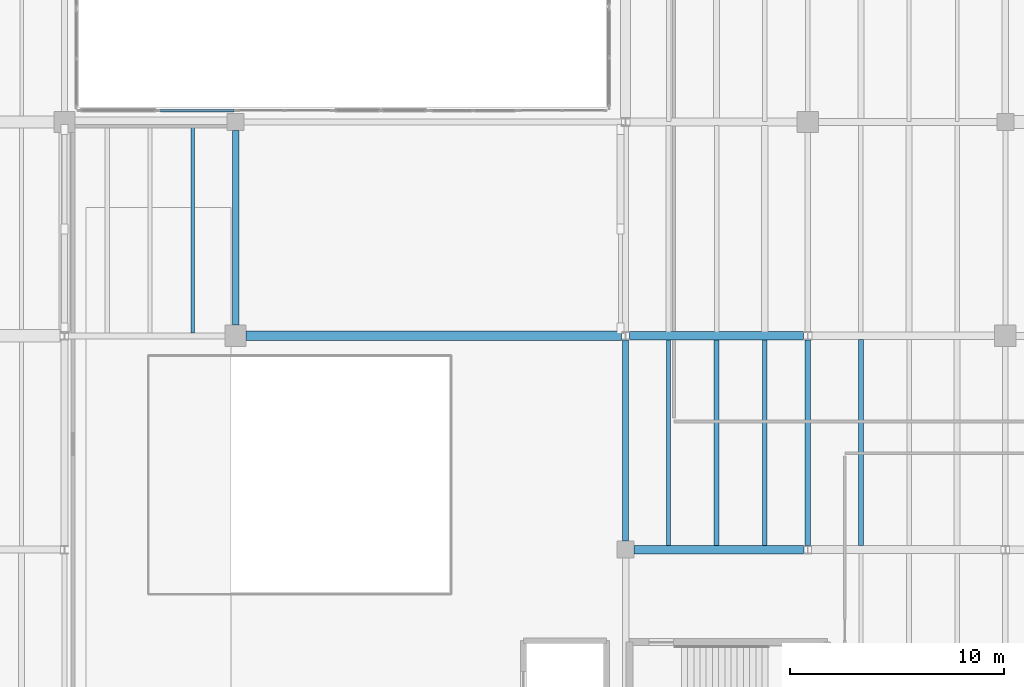
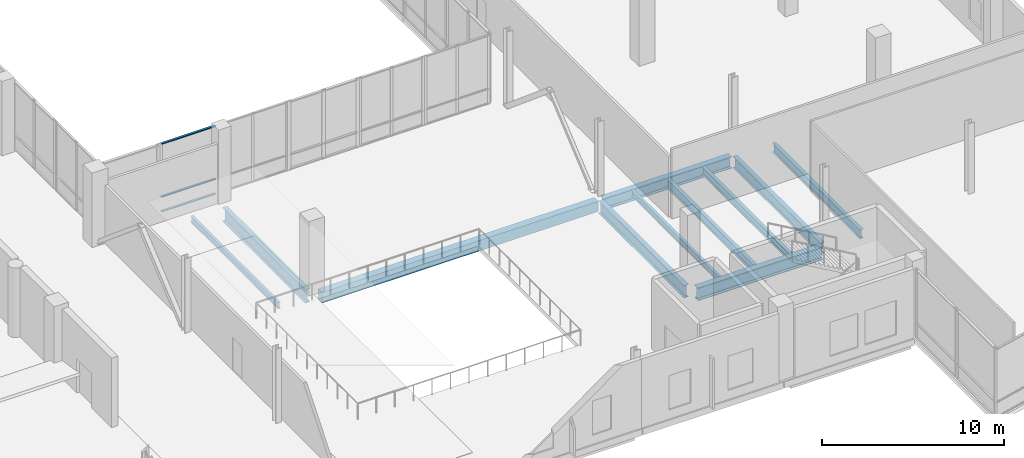
# One storey, part 43 of 81: 11 beams, 3 members, 1 element without a shape of its own.
"""IFC4 building model written with IfcOpenShell, lengths in metres."""

import ifcopenshell
import ifcopenshell.guid

model = None  # the IFC model being written
_history = None  # IfcOwnerHistory: only IFC2X3 demands one
_inside = {}  # id of a spatial element -> (the spatial element, [elements in it])
_under = {}  # id of a project, library or spatial element -> (it, [spatial elements below it])
_declared = {}  # id of a project -> (the project, [libraries it declares])
_typed = {}  # id of a type object -> (the type object, [elements of that type])
_made_of = {}  # id of a material, layer set ... -> (it, [elements and type objects made of it])


def new_model(schema):
    """Start an empty IFC model of exactly this schema.

    Asked for "IFC4X3", IfcOpenShell would pick the latest addendum, in which some entities
    have other attributes; the version numbers below select the first issue.
    IFC2X3 requires an IfcOwnerHistory on every rooted entity: one is made here for all.
    """
    global model, _history
    if schema == "IFC4X3":
        model = ifcopenshell.file(schema_version=(4, 3, 0, 0))
    else:
        model = ifcopenshell.file(schema=schema)
    _inside.clear()
    _under.clear()
    _declared.clear()
    _typed.clear()
    _made_of.clear()
    _history = None
    if model.schema == "IFC2X3":
        org = make("IfcOrganization", Name="unknown")
        user = make(
            "IfcPersonAndOrganization",
            ThePerson=make("IfcPerson", FamilyName="unknown"),
            TheOrganization=org,
        )
        app = make(
            "IfcApplication",
            ApplicationDeveloper=org,
            Version="unknown",
            ApplicationFullName="unknown",
            ApplicationIdentifier="unknown",
        )
        _history = make(
            "IfcOwnerHistory",
            OwningUser=user,
            OwningApplication=app,
            ChangeAction="ADDED",
            CreationDate=0,
        )
    return model


def make(cls, **values):
    """One entity of the class cls with the attributes given. An attribute that is None is left unset."""
    return model.create_entity(
        cls, **{name: value for name, value in values.items() if value is not None}
    )


def rooted(cls, **values):
    """An entity with a GlobalId (a new one), such as an element, a storey or a relation."""
    return make(cls, GlobalId=ifcopenshell.guid.new(), OwnerHistory=_history, **values)


def si_unit(unit_type, name, prefix=None):
    """IfcSIUnit, for example si_unit("LENGTHUNIT", "METRE", prefix="MILLI")."""
    return make("IfcSIUnit", UnitType=unit_type, Prefix=prefix, Name=name)


def assignment(units):
    """IfcUnitAssignment: the units of a project."""
    return None if units is None else make("IfcUnitAssignment", Units=units)


def point(xyz):
    """IfcCartesianPoint."""
    return None if xyz is None else make("IfcCartesianPoint", Coordinates=xyz)


def direction(xyz):
    """IfcDirection."""
    return None if xyz is None else make("IfcDirection", DirectionRatios=xyz)


def frame(location, z_axis=None, x_axis=None):
    """IfcAxis2Placement3D, a coordinate frame: its origin and axes. An axis left out is left unset."""
    return make(
        "IfcAxis2Placement3D",
        Location=point(location),
        Axis=direction(z_axis),
        RefDirection=direction(x_axis),
    )


def frame_2d(location, x_axis=None):
    """IfcAxis2Placement2D, a coordinate frame in the plane: its origin and x axis."""
    return make(
        "IfcAxis2Placement2D", Location=point(location), RefDirection=direction(x_axis)
    )


def origin():
    """The frame at (0, 0, 0) with its axes left unset."""
    return frame((0.0, 0.0, 0.0))


def origin_2d():
    """The frame at (0, 0) in the plane with its x axis left unset."""
    return frame_2d((0.0, 0.0))


def place(relative_to, where):
    """IfcLocalPlacement: puts the frame where relative to a parent placement (None: the world)."""
    return make(
        "IfcLocalPlacement", PlacementRelTo=relative_to, RelativePlacement=where
    )


def context(
    kind, dimensions, precision=None, world=None, true_north=None, identifier=None
):
    """IfcGeometricRepresentationContext, for example the 3D "Model" context."""
    return make(
        "IfcGeometricRepresentationContext",
        ContextIdentifier=identifier,
        ContextType=kind,
        CoordinateSpaceDimension=dimensions,
        Precision=precision,
        WorldCoordinateSystem=world,
        TrueNorth=true_north,
    )


def subcontext(parent, identifier, kind, view, scale=None):
    """IfcGeometricRepresentationSubContext, for example "Body" below "Model"."""
    return make(
        "IfcGeometricRepresentationSubContext",
        ContextIdentifier=identifier,
        ContextType=kind,
        ParentContext=parent,
        TargetScale=scale,
        TargetView=view,
    )


def project(units=None, contexts=None):
    """IfcProject with its units and contexts."""
    return rooted(
        "IfcProject",
        Name="project",
        RepresentationContexts=contexts,
        UnitsInContext=assignment(units),
    )


def spatial(cls, under=None, at=None, **own):
    """A site, building, storey or space (cls), placed at a placement, below another one or the project."""
    s = rooted(cls, ObjectPlacement=at, **own)
    if under is not None:
        _under.setdefault(under.id(), (under, []))[1].append(s)
    return s


def profile(cls, at=None, kind="AREA", **sizes):
    """A parametric profile (cls). Its sizes go by their IFC names, for example OverallWidth=200.0."""
    return make(cls, ProfileType=kind, Position=at, **sizes)


def rectangle(**sizes):
    """IfcRectangleProfileDef."""
    return profile("IfcRectangleProfileDef", **sizes)


def i_section(**sizes):
    """IfcIShapeProfileDef."""
    return profile("IfcIShapeProfileDef", **sizes)


def extrude(swept, where, along, depth):
    """IfcExtrudedAreaSolid: the profile swept, set in the frame where, extruded along a direction by depth."""
    return make(
        "IfcExtrudedAreaSolid",
        SweptArea=swept,
        Position=where,
        ExtrudedDirection=direction(along),
        Depth=depth,
    )


def shape(context_of_items, identifier, shape_type, items):
    """IfcShapeRepresentation: the items that make up one representation, for example the "Body"."""
    return make(
        "IfcShapeRepresentation",
        ContextOfItems=context_of_items,
        RepresentationIdentifier=identifier,
        RepresentationType=shape_type,
        Items=items,
    )


def material(Name=None, Category=None):
    """IfcMaterial."""
    return make("IfcMaterial", Name=Name, Category=Category)


def material_profile(
    of_material, cross_section, Name=None, Category=None, Priority=None
):
    """IfcMaterialProfile: a cross section and its material."""
    return make(
        "IfcMaterialProfile",
        Name=Name,
        Material=of_material,
        Profile=cross_section,
        Priority=Priority,
        Category=Category,
    )


def profile_set(profiles, Name=None, composite=None):
    """IfcMaterialProfileSet."""
    return make(
        "IfcMaterialProfileSet",
        Name=Name,
        MaterialProfiles=profiles,
        CompositeProfile=composite,
    )


def made_of(thing, what):
    """Note that an element or type object is made of a material, layer set ...; save() writes the relation."""
    if what is not None:
        _made_of.setdefault(what.id(), (what, []))[1].append(thing)
    return thing


def type_object(cls, material=None, **own):
    """A type object (cls), such as IfcWallType, which elements share."""
    return made_of(rooted(cls, **own), material)


def element(
    cls,
    number,
    at=None,
    inside=None,
    cuts=None,
    type_object=None,
    material=None,
    context=None,
    identifier="Body",
    shape_type=None,
    held_by="IfcProductDefinitionShape",
    body=None,
    shapes=None,
    **own,
):
    """One element of the class cls, such as IfcWall. Its Tag is "e" and its number.

    at: its placement. inside: the storey or other place that contains it. cuts: it is an
    opening in that element (IfcRelVoidsElement). A single representation is given by context,
    identifier, shape_type and body (its items); several are given by shapes. held_by: the class
    of the entity that holds the representations. save() writes the other relations.
    """
    e = rooted(cls, Tag="e%d" % number, ObjectPlacement=at, **own)
    if body is not None:
        shapes = [shape(context, identifier, shape_type, body)]
    if shapes is not None:
        e.Representation = make(held_by, Representations=shapes)
    if inside is not None:
        _inside.setdefault(inside.id(), (inside, []))[1].append(e)
    if cuts is not None:
        rooted(
            "IfcRelVoidsElement", RelatingBuildingElement=cuts, RelatedOpeningElement=e
        )
    if type_object is not None:
        _typed.setdefault(type_object.id(), (type_object, []))[1].append(e)
    return made_of(e, material)


def aggregate(whole, parts):
    """IfcRelAggregates: a whole, such as a stair, and the parts it consists of."""
    return rooted("IfcRelAggregates", RelatingObject=whole, RelatedObjects=parts)


def save(model, path):
    """Write the relations noted so far, then the file.

    IfcRelAggregates (storeys below a building ...), IfcRelContainedInSpatialStructure (elements
    in a storey), IfcRelDefinesByType, IfcRelAssociatesMaterial and IfcRelDeclares: one each for
    every whole, place, type object, material and project.
    """
    for whole, parts in _under.values():
        aggregate(whole, parts)
    for where, things in _inside.values():
        rooted(
            "IfcRelContainedInSpatialStructure",
            RelatedElements=things,
            RelatingStructure=where,
        )
    for kind, things in _typed.values():
        rooted("IfcRelDefinesByType", RelatedObjects=things, RelatingType=kind)
    for what, things in _made_of.values():
        rooted("IfcRelAssociatesMaterial", RelatedObjects=things, RelatingMaterial=what)
    for by, libraries in _declared.values():
        rooted("IfcRelDeclares", RelatingContext=by, RelatedDefinitions=libraries)
    model.write(path)


model = new_model("IFC4")

# Units and contexts
model_context = context("Model", 3, precision=1e-05, world=origin(), true_north=direction((0.0, 1.0)))
body_context = subcontext(model_context, "Body", "Model", "MODEL_VIEW")
ifc_project = project(units=[si_unit("LENGTHUNIT", "METRE"), si_unit("AREAUNIT", "SQUARE_METRE"), si_unit("VOLUMEUNIT", "CUBIC_METRE"), si_unit("PLANEANGLEUNIT", "RADIAN"), si_unit("MASSUNIT", "GRAM", prefix="KILO")], contexts=[model_context])

# Site, building, storey
site_placement = place(None, origin())
site = spatial("IfcSite", under=ifc_project, at=site_placement, CompositionType="ELEMENT")
building_placement = place(site_placement, origin())
building = spatial("IfcBuilding", under=site, at=building_placement, Name="Trimount Lyric Opera House", CompositionType="ELEMENT")
storey_placement = place(building_placement, frame((0.0, 0.0, 5.0)))
storey = spatial("IfcBuildingStorey", under=building, at=storey_placement, Name="L01", CompositionType="ELEMENT", Elevation=5.0)

# Beams
ifc_material_1 = material(Name="Steel ASTM A992 Grade 50", Category="steel")
ifc_material_profile_1 = material_profile(ifc_material_1, i_section(OverallWidth=0.304931640625, OverallDepth=0.9189453125, WebThickness=0.017333984375, FlangeThickness=0.02783203125, FilletRadius=0.02001953125, at=origin_2d()), Name="W36X170")
ifc_profile_set_1 = profile_set([ifc_material_profile_1], Name="Steel ASTM A992 Grade 50")
beam_type_1 = type_object("IfcBeamType", Name="B-03", PredefinedType="BEAM", material=ifc_profile_set_1)
beam_1_placement = place(storey_placement, frame((130.0, 64.5, -0.739501953125), z_axis=(0.0, 1.0, 0.0), x_axis=(-1.0, 0.0, 0.0)))
element("IfcBeam", 1, at=beam_1_placement, inside=storey, type_object=beam_type_1, Name="L01 girder Y-0678", PredefinedType="BEAM", context=body_context, shape_type="SweptSolid", body=[
    extrude(i_section(OverallWidth=0.304931640625, OverallDepth=0.9189453125, WebThickness=0.017333984375, FlangeThickness=0.02783203125, FilletRadius=0.02001953125, at=origin_2d()), origin(), (0.0, 0.0, 1.0), 9.10009765625),
])
ifc_material_2 = material(Name="Steel ASTM A992 Grade 50", Category="steel")
ifc_material_profile_2 = material_profile(ifc_material_2, i_section(OverallWidth=0.40087890625, OverallDepth=0.861083984375, WebThickness=0.019775390625, FlangeThickness=0.032470703125, FilletRadius=0.02001953125, at=origin_2d()), Name="W33X221")
ifc_profile_set_2 = profile_set([ifc_material_profile_2], Name="Steel ASTM A992 Grade 50")
beam_type_2 = type_object("IfcBeamType", Name="B-04", PredefinedType="BEAM", material=ifc_profile_set_2)
beam_2_placement = place(storey_placement, frame((148.639892578125, 54.0, -0.71044921875), z_axis=(1.0, 0.0, 0.0), x_axis=(0.0, 1.0, 0.0)))
element("IfcBeam", 2, at=beam_2_placement, inside=storey, type_object=beam_type_2, Name="L01 girder X-0504", PredefinedType="BEAM", context=body_context, shape_type="SweptSolid", body=[
    extrude(i_section(OverallWidth=0.40087890625, OverallDepth=0.861083984375, WebThickness=0.019775390625, FlangeThickness=0.032470703125, FilletRadius=0.02001953125, at=origin_2d()), origin(), (0.0, 0.0, 1.0), 7.93359375),
])
ifc_material_3 = material(Name="Steel ASTM A992 Grade 50", Category="steel")
ifc_material_profile_3 = material_profile(ifc_material_3, i_section(OverallWidth=0.2919921875, OverallDepth=0.845947265625, WebThickness=0.015380859375, FlangeThickness=0.0244140625, FilletRadius=0.01806640625, at=origin_2d()), Name="W33X141")
ifc_profile_set_3 = profile_set([ifc_material_profile_3], Name="Steel ASTM A992 Grade 50")
beam_type_3 = type_object("IfcBeamType", Name="B-05", PredefinedType="BEAM", material=ifc_profile_set_3)
beam_3_placement = place(storey_placement, frame((148.239990234375, 54.39990234375, -0.702880859375), z_axis=(0.0, 1.0, 0.0), x_axis=(-1.0, 0.0, 0.0)))
element("IfcBeam", 3, at=beam_3_placement, inside=storey, type_object=beam_type_3, Name="L01 girder Y-0684", PredefinedType="BEAM", context=body_context, shape_type="SweptSolid", body=[
    extrude(i_section(OverallWidth=0.2919921875, OverallDepth=0.845947265625, WebThickness=0.015380859375, FlangeThickness=0.0244140625, FilletRadius=0.01806640625, at=origin_2d()), origin(), (0.0, 0.0, 1.0), 9.416015625),
])
ifc_material_4 = material(Name="Steel ASTM A992 Grade 50", Category="steel")
ifc_material_profile_4 = material_profile(ifc_material_4, i_section(OverallWidth=0.382080078125, OverallDepth=0.779052734375, WebThickness=0.01806640625, FlangeThickness=0.0302734375, FilletRadius=0.01904296875, at=origin_2d()), Name="W30X191")
ifc_profile_set_4 = profile_set([ifc_material_profile_4], Name="Steel ASTM A992 Grade 50")
beam_type_4 = type_object("IfcBeamType", Name="B-06", PredefinedType="BEAM", material=ifc_profile_set_4)
beam_4_placement = place(storey_placement, frame((148.426513671875, 64.0, -0.66943359375), z_axis=(1.0, 0.0, 0.0), x_axis=(0.0, 1.0, 0.0)))
element("IfcBeam", 4, at=beam_4_placement, inside=storey, type_object=beam_type_4, Name="L01 girder X-0517", PredefinedType="BEAM", context=body_context, shape_type="SweptSolid", body=[
    extrude(i_section(OverallWidth=0.382080078125, OverallDepth=0.779052734375, WebThickness=0.01806640625, FlangeThickness=0.0302734375, FilletRadius=0.01904296875, at=origin_2d()), origin(), (0.0, 0.0, 1.0), 8.134033203125),
])
ifc_material_5 = material(Name="Steel ASTM A992 Grade 50", Category="steel")
ifc_material_profile_5 = material_profile(ifc_material_5, i_section(OverallWidth=0.26708984375, OverallDepth=0.761962890625, WebThickness=0.014404296875, FlangeThickness=0.021484375, FilletRadius=0.01708984375, at=origin_2d()), Name="W30X116")
ifc_profile_set_5 = profile_set([ifc_material_profile_5], Name="Steel ASTM A992 Grade 50")
beam_type_5 = type_object("IfcBeamType", Name="B-07", PredefinedType="BEAM", material=ifc_profile_set_5)
beam_5_placement = place(storey_placement, frame((156.760009765625, 54.18408203125, -0.660888671875), z_axis=(0.0, 1.0, 0.0), x_axis=(-1.0, 0.0, 0.0)))
element("IfcBeam", 5, at=beam_5_placement, inside=storey, type_object=beam_type_5, Name="L01 girder Y-0691", PredefinedType="BEAM", context=body_context, shape_type="SweptSolid", body=[
    extrude(i_section(OverallWidth=0.26708984375, OverallDepth=0.761962890625, WebThickness=0.014404296875, FlangeThickness=0.021484375, FilletRadius=0.01708984375, at=origin_2d()), origin(), (0.0, 0.0, 1.0), 9.622802734375),
])
ifc_material_6 = material(Name="Steel ASTM A992 Grade 50", Category="steel")
ifc_material_profile_6 = material_profile(ifc_material_6, i_section(OverallWidth=0.22802734375, OverallDepth=0.60205078125, WebThickness=0.010498046875, FlangeThickness=0.014892578125, FilletRadius=0.012939453125, at=origin_2d()), Name="W24X68")
ifc_profile_set_6 = profile_set([ifc_material_profile_6], Name="Steel ASTM A992 Grade 50")
beam_type_6 = type_object("IfcBeamType", Name="J-01", PredefinedType="BEAM", material=ifc_profile_set_6)
beam_6_placement = place(storey_placement, frame((152.5, 54.196533203125, -0.5810546875), z_axis=(0.0, 1.0, 0.0), x_axis=(-1.0, 0.0, 0.0)))
element("IfcBeam", 6, at=beam_6_placement, inside=storey, type_object=beam_type_6, Name="L01 composite floor joist 0735", PredefinedType="BEAM", context=body_context, shape_type="SweptSolid", body=[
    extrude(i_section(OverallWidth=0.22802734375, OverallDepth=0.60205078125, WebThickness=0.010498046875, FlangeThickness=0.014892578125, FilletRadius=0.012939453125, at=origin_2d()), origin(), (0.0, 0.0, 1.0), 9.616455078125),
])
beam_7_placement = place(storey_placement, frame((159.25, 54.18701171875, -0.5810546875), z_axis=(0.0, 1.0, 0.0), x_axis=(-1.0, 0.0, 0.0)))
element("IfcBeam", 7, at=beam_7_placement, inside=storey, type_object=beam_type_6, Name="L01 composite floor joist 0758", PredefinedType="BEAM", context=body_context, shape_type="SweptSolid", body=[
    extrude(i_section(OverallWidth=0.22802734375, OverallDepth=0.60205078125, WebThickness=0.010498046875, FlangeThickness=0.014892578125, FilletRadius=0.012939453125, at=origin_2d()), origin(), (0.0, 0.0, 1.0), 9.638916015625),
])
ifc_material_7 = material(Name="Steel ASTM A992 Grade 50", Category="steel")
ifc_material_profile_7 = material_profile(ifc_material_7, i_section(OverallWidth=0.2099609375, OverallDepth=0.532958984375, WebThickness=0.01025390625, FlangeThickness=0.015625, FilletRadius=0.012939453125, at=origin_2d()), Name="W21X62")
ifc_profile_set_7 = profile_set([ifc_material_profile_7], Name="Steel ASTM A992 Grade 50")
beam_type_7 = type_object("IfcBeamType", Name="J-02", PredefinedType="BEAM", material=ifc_profile_set_7)
beam_8_placement = place(storey_placement, frame((154.75, 54.196533203125, -0.54638671875), z_axis=(0.0, 1.0, 0.0), x_axis=(-1.0, 0.0, 0.0)))
element("IfcBeam", 8, at=beam_8_placement, inside=storey, type_object=beam_type_7, Name="L01 composite floor joist 0736", PredefinedType="BEAM", context=body_context, shape_type="SweptSolid", body=[
    extrude(i_section(OverallWidth=0.2099609375, OverallDepth=0.532958984375, WebThickness=0.01025390625, FlangeThickness=0.015625, FilletRadius=0.012939453125, at=origin_2d()), origin(), (0.0, 0.0, 1.0), 9.616455078125),
])
ifc_material_8 = material(Name="Steel ASTM A992 Grade 50", Category="steel")
ifc_material_profile_8 = material_profile(ifc_material_8, i_section(OverallWidth=0.177978515625, OverallDepth=0.404052734375, WebThickness=0.007568359375, FlangeThickness=0.010986328125, FilletRadius=0.010009765625, at=origin_2d()), Name="W16X36")
ifc_profile_set_8 = profile_set([ifc_material_profile_8], Name="Steel ASTM A992 Grade 50")
beam_type_8 = type_object("IfcBeamType", Name="J-06", PredefinedType="BEAM", material=ifc_profile_set_8)
beam_9_placement = place(storey_placement, frame((128.0, 64.136962890625, -0.48193359375), z_axis=(0.0, 1.0, 0.0), x_axis=(-1.0, 0.0, 0.0)))
element("IfcBeam", 9, at=beam_9_placement, inside=storey, type_object=beam_type_8, Name="L01 composite floor joist 0715", PredefinedType="BEAM", context=body_context, shape_type="SweptSolid", body=[
    extrude(i_section(OverallWidth=0.177978515625, OverallDepth=0.404052734375, WebThickness=0.007568359375, FlangeThickness=0.010986328125, FilletRadius=0.010009765625, at=origin_2d()), origin(), (0.0, 0.0, 1.0), 9.64208984375),
])
beam_10_placement = place(storey_placement, frame((150.25, 54.196533203125, -0.48193359375), z_axis=(0.0, 1.0, 0.0), x_axis=(-1.0, 0.0, 0.0)))
element("IfcBeam", 10, at=beam_10_placement, inside=storey, type_object=beam_type_8, Name="L01 composite floor joist 0734", PredefinedType="BEAM", context=body_context, shape_type="SweptSolid", body=[
    extrude(i_section(OverallWidth=0.177978515625, OverallDepth=0.404052734375, WebThickness=0.007568359375, FlangeThickness=0.010986328125, FilletRadius=0.010009765625, at=origin_2d()), origin(), (0.0, 0.0, 1.0), 9.616455078125),
])
ifc_material_9 = material(Name="Concrete C40/50", Category="concrete")
ifc_material_profile_9 = material_profile(ifc_material_9, rectangle(XDim=0.449951171875, YDim=0.699951171875, at=origin_2d()), Name="RC450X700")
ifc_profile_set_9 = profile_set([ifc_material_profile_9], Name="Concrete C40/50")
beam_type_9 = type_object("IfcBeamType", Name="SP-02", PredefinedType="SPANDREL", material=ifc_profile_set_9)
beam_11_placement = place(storey_placement, frame((130.5, 64.0, -0.6298828125), z_axis=(1.0, 0.0, 0.0), x_axis=(0.0, 1.0, 0.0)))
element("IfcBeam", 11, at=beam_11_placement, inside=storey, type_object=beam_type_9, Name="L01 girder X-0516", PredefinedType="SPANDREL", context=body_context, shape_type="SweptSolid", body=[
    extrude(rectangle(XDim=0.449951171875, YDim=0.699951171875, at=origin_2d()), origin(), (0.0, 0.0, 1.0), 17.553466796875),
])

# Curtain wall, members
ifc_material_10 = material(Name="Thermally Broken Aluminium and Low-E Glass", Category="aluminium")
curtain_wall_type = type_object("IfcCurtainWallType", Name="CW-03", PredefinedType="NOTDEFINED", material=ifc_material_10)
curtain_wall_placement = place(storey_placement, origin())
curtain_wall = element("IfcCurtainWall", 12, at=curtain_wall_placement, inside=storey, type_object=curtain_wall_type, Name="L01 curtain wall 121", PredefinedType="NOTDEFINED")
ifc_material_11 = material(Name="Anodised Aluminium 6063-T6", Category="aluminium")
ifc_material_profile_10 = material_profile(ifc_material_11, rectangle(XDim=0.135009765625, YDim=0.06494140625, at=origin_2d()), Name="ALU-TRAN-65X135")
ifc_profile_set_10 = profile_set([ifc_material_profile_10], Name="Anodised Aluminium 6063-T6")
member_type = type_object("IfcMemberType", Name="TR-02", PredefinedType="USERDEFINED", material=ifc_profile_set_10)
member_1_placement = place(storey_placement, frame((126.4951171875, 74.5400390625, 0.0673828125), z_axis=(1.0, 0.0, 0.0), x_axis=(0.0, 1.0, 0.0)))
member_1 = element("IfcMember", 13, at=member_1_placement, type_object=member_type, Name="CW-03 transom 1.1", ObjectType="TRANSOM", PredefinedType="USERDEFINED", context=body_context, shape_type="SweptSolid", body=[
    extrude(rectangle(XDim=0.135009765625, YDim=0.06494140625, at=origin_2d()), origin(), (0.0, 0.0, 1.0), 3.43994140625),
])
member_2_placement = place(storey_placement, frame((126.4951171875, 74.5400390625, 1.050048828125), z_axis=(1.0, 0.0, 0.0), x_axis=(0.0, 1.0, 0.0)))
member_2 = element("IfcMember", 14, at=member_2_placement, type_object=member_type, Name="CW-03 transom 1.2", ObjectType="TRANSOM", PredefinedType="USERDEFINED", context=body_context, shape_type="SweptSolid", body=[
    extrude(rectangle(XDim=0.135009765625, YDim=0.06494140625, at=origin_2d()), origin(), (0.0, 0.0, 1.0), 3.43994140625),
])
member_3_placement = place(storey_placement, frame((126.4951171875, 74.5400390625, 4.612548828125), z_axis=(1.0, 0.0, 0.0), x_axis=(0.0, 1.0, 0.0)))
member_3 = element("IfcMember", 15, at=member_3_placement, type_object=member_type, Name="CW-03 transom 1.3", ObjectType="TRANSOM", PredefinedType="USERDEFINED", context=body_context, shape_type="SweptSolid", body=[
    extrude(rectangle(XDim=0.135009765625, YDim=0.06494140625, at=origin_2d()), origin(), (0.0, 0.0, 1.0), 3.43994140625),
])
aggregate(curtain_wall, [member_1, member_2, member_3])

save(model, "model.ifc")
